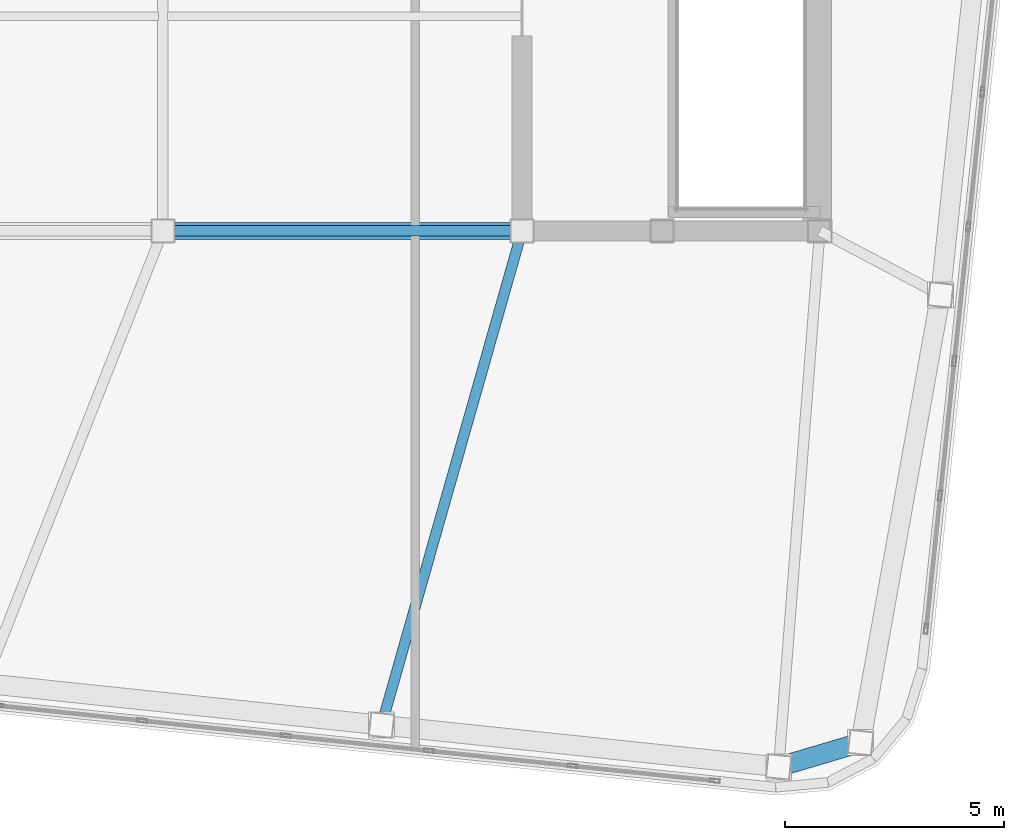
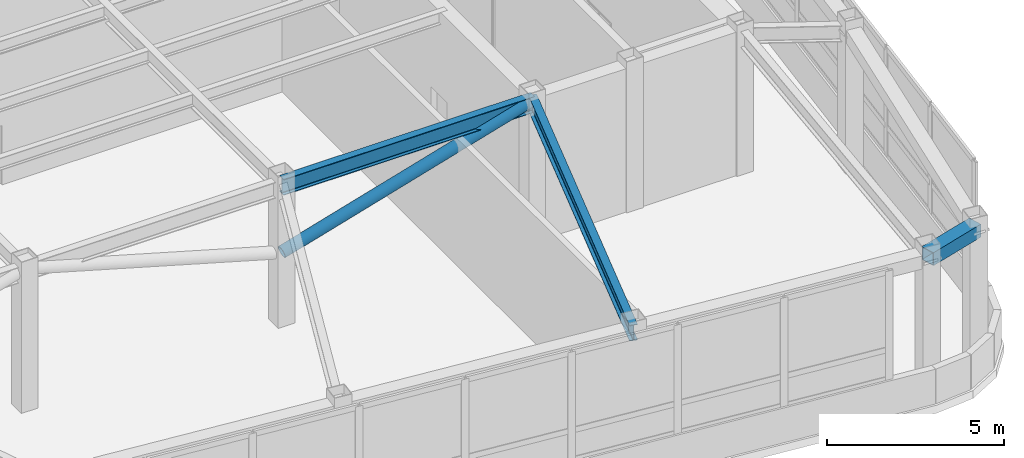
# One storey, part 10 of 21: 3 beams, 1 member.
"""IFC4 building model written with IfcOpenShell, lengths in metres."""

from ifc_helpers import new_model, si_unit, direction, frame, origin, origin_2d, place, context, subcontext, project, spatial, hollow_rectangle, hollow_circle, i_section, extrude, material, material_profile, profile_set, type_object, element, save


model = new_model("IFC4")

# Units and contexts
model_context = context("Model", 3, precision=1e-05, world=origin(), true_north=direction((0.0, 1.0)))
body_context = subcontext(model_context, "Body", "Model", "MODEL_VIEW")
ifc_project = project(units=[si_unit("LENGTHUNIT", "METRE"), si_unit("AREAUNIT", "SQUARE_METRE"), si_unit("VOLUMEUNIT", "CUBIC_METRE"), si_unit("PLANEANGLEUNIT", "RADIAN"), si_unit("MASSUNIT", "GRAM", prefix="KILO")], contexts=[model_context])

# Site, building, storey
site_placement = place(None, origin())
site = spatial("IfcSite", under=ifc_project, at=site_placement, CompositionType="ELEMENT")
building_placement = place(site_placement, origin())
building = spatial("IfcBuilding", under=site, at=building_placement, Name="Voryun Gate Residences", CompositionType="ELEMENT")
storey_placement = place(building_placement, frame((0.0, 0.0, 337.199951171875)))
storey = spatial("IfcBuildingStorey", under=building, at=storey_placement, Name="L82", CompositionType="ELEMENT", Elevation=337.199951171875)

# Beams
ifc_material_1 = material(Name="Steel SM355", Category="steel")
ifc_material_profile_1 = material_profile(ifc_material_1, hollow_rectangle(XDim=0.449951171875, YDim=0.449951171875, WallThickness=0.01806640625, at=origin_2d()), Name="BOX-450x450x18")
ifc_profile_set_1 = profile_set([ifc_material_profile_1], Name="Steel SM355")
beam_type_1 = type_object("IfcBeamType", Name="BM_CROWN_RING", PredefinedType="BEAM", material=ifc_profile_set_1)
beam_1_placement = place(storey_placement, frame((18.261474609375, -19.63818359375, 4.735107421875), z_axis=(0.958835963288, 0.283960552728, 0.0), x_axis=(-0.283960552728, 0.958835963288, 0.0)))
element("IfcBeam", 1, at=beam_1_placement, inside=storey, type_object=beam_type_1, Name="BM-L82-SPAND-06", PredefinedType="BEAM", context=body_context, shape_type="SweptSolid", body=[
    extrude(hollow_rectangle(XDim=0.449951171875, YDim=0.449951171875, WallThickness=0.01806640625, at=origin_2d()), origin(), (0.0, 0.0, 1.0), 1.95166015625),
])
ifc_material_2 = material(Name="Steel SM355", Category="steel")
ifc_material_profile_2 = material_profile(ifc_material_2, i_section(OverallWidth=0.239990234375, OverallDepth=0.550048828125, WebThickness=0.011962890625, FlangeThickness=0.02001953125, FilletRadius=0.01806640625, at=origin_2d()), Name="H-550x240x12x20")
ifc_profile_set_2 = profile_set([ifc_material_profile_2], Name="Steel SM355")
beam_type_2 = type_object("IfcBeamType", Name="BM_GIRD_550", PredefinedType="USERDEFINED", material=ifc_profile_set_2)
beam_2_placement = place(storey_placement, frame((4.199951171875, -7.39990234375, 4.68505859375), z_axis=(1.0, 0.0, 0.0), x_axis=(0.0, 1.0, 0.0)))
element("IfcBeam", 2, at=beam_2_placement, inside=storey, type_object=beam_type_2, Name="BM-L82-SPG3-S", ObjectType="GIRDER", PredefinedType="USERDEFINED", context=body_context, shape_type="SweptSolid", body=[
    extrude(i_section(OverallWidth=0.239990234375, OverallDepth=0.550048828125, WebThickness=0.011962890625, FlangeThickness=0.02001953125, FilletRadius=0.01806640625, at=origin_2d()), origin(), (0.0, 0.0, 1.0), 8.199951171875),
])
beam_3_placement = place(storey_placement, frame((12.39990234375, -7.39990234375, 4.68505859375), z_axis=(-0.273478609988, -0.961878084727, 0.0), x_axis=(0.961878084727, -0.273478609988, 0.0)))
element("IfcBeam", 3, at=beam_3_placement, inside=storey, type_object=beam_type_2, Name="BM-L82-RAD-S5", ObjectType="GIRDER", PredefinedType="USERDEFINED", context=body_context, shape_type="SweptSolid", body=[
    extrude(i_section(OverallWidth=0.239990234375, OverallDepth=0.550048828125, WebThickness=0.011962890625, FlangeThickness=0.02001953125, FilletRadius=0.01806640625, at=origin_2d()), origin(), (0.0, 0.0, 1.0), 11.732177734375),
])

# Member
ifc_material_3 = material(Name="Steel SM355", Category="steel")
ifc_material_profile_3 = material_profile(ifc_material_3, hollow_circle(Radius=0.18994140625, WallThickness=0.01806640625, at=origin_2d()), Name="CHS-380x18")
ifc_profile_set_3 = profile_set([ifc_material_profile_3], Name="Steel SM355")
member_type = type_object("IfcMemberType", Name="MBR_CROWN_DIAGRID", PredefinedType="BRACE", material=ifc_profile_set_3)
member_placement = place(storey_placement, frame((4.199951171875, -7.39990234375, 2.380126953125), z_axis=(0.959740037409, 0.0, 0.280889765913), x_axis=(0.0, 1.0, 0.0)))
element("IfcMember", 4, at=member_placement, inside=storey, type_object=member_type, Name="L82 Lantern Spine Diagrid Brace 03", PredefinedType="BRACE", context=body_context, shape_type="SweptSolid", body=[
    extrude(hollow_circle(Radius=0.18994140625, WallThickness=0.01806640625, at=origin_2d()), origin(), (0.0, 0.0, 1.0), 8.5439453125),
])

save(model, "model.ifc")
